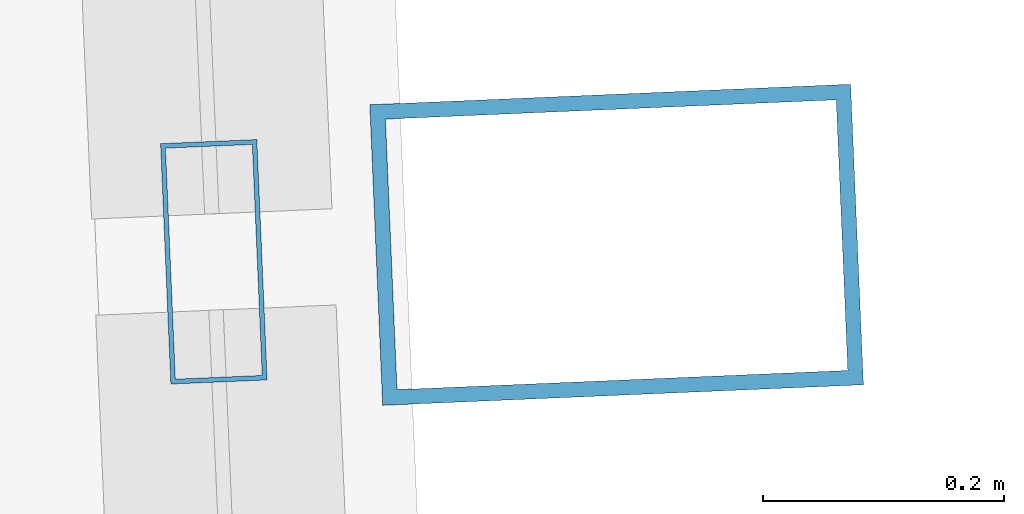
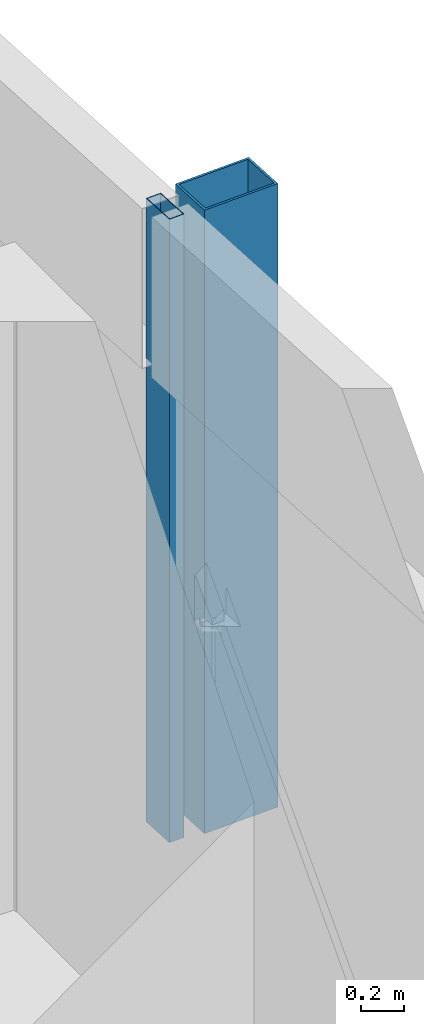
# One storey, part 29 of 44: 2 members, 1 element without a shape of its own.
"""IFC4 building model written with IfcOpenShell, lengths in metres."""

from ifc_helpers import new_model, si_unit, direction, frame, origin, origin_2d, place, context, subcontext, project, spatial, hollow_rectangle, extrude, material, material_profile, profile_set, type_object, element, aggregate, save


model = new_model("IFC4")

# Units and contexts
model_context = context("Model", 3, precision=1e-05, world=origin(), true_north=direction((0.0, 1.0)))
body_context = subcontext(model_context, "Body", "Model", "MODEL_VIEW")
ifc_project = project(units=[si_unit("LENGTHUNIT", "METRE"), si_unit("AREAUNIT", "SQUARE_METRE"), si_unit("VOLUMEUNIT", "CUBIC_METRE"), si_unit("PLANEANGLEUNIT", "RADIAN"), si_unit("MASSUNIT", "GRAM", prefix="KILO")], contexts=[model_context])

# Site, building, storey
site_placement = place(None, origin())
site = spatial("IfcSite", under=ifc_project, at=site_placement, CompositionType="ELEMENT")
building_placement = place(site_placement, origin())
building = spatial("IfcBuilding", under=site, at=building_placement, Name="Rekha Terrace Tower", CompositionType="ELEMENT")
storey_placement = place(building_placement, frame((0.0, 0.0, 51.64990234375)))
storey = spatial("IfcBuildingStorey", under=building, at=storey_placement, Name="L12", CompositionType="ELEMENT", Elevation=51.64990234375)

# Curtain wall, members
ifc_material_1 = material(Name="Aluminium framing", Category="aluminium")
curtain_wall_type = type_object("IfcCurtainWallType", Name="CW2 double skin outer glazing", PredefinedType="USERDEFINED", material=ifc_material_1)
curtain_wall_placement = place(storey_placement, origin())
curtain_wall = element("IfcCurtainWall", 1, at=curtain_wall_placement, inside=storey, type_object=curtain_wall_type, Name="CW2 double skin outer glazing", ObjectType="DOUBLE SKIN OUTER GLAZING", PredefinedType="USERDEFINED")
ifc_material_2 = material(Name="Steel S355 with fluorocarbon finish", Category="steel")
ifc_material_profile_1 = material_profile(ifc_material_2, hollow_rectangle(XDim=0.25, YDim=0.39990234375, WallThickness=0.012451171875, at=origin_2d()), Name="RHS400x250x12.5")
ifc_profile_set_1 = profile_set([ifc_material_profile_1], Name="Steel S355 with fluorocarbon finish")
member_type_1 = type_object("IfcMemberType", Name="BL1 facade blade RHS 400 x 250", PredefinedType="USERDEFINED", material=ifc_profile_set_1)
member_1_placement = place(storey_placement, frame((69.554443359375, 51.724609375, 0.0), z_axis=(0.0, 0.0, 1.0), x_axis=(-0.04269522475, 0.99908814315, 0.0)))
member_1 = element("IfcMember", 2, at=member_1_placement, type_object=member_type_1, Name="Facade blade", ObjectType="FACADE BLADE", PredefinedType="USERDEFINED", context=body_context, shape_type="SweptSolid", body=[
    extrude(hollow_rectangle(XDim=0.25, YDim=0.39990234375, WallThickness=0.012451171875, at=origin_2d()), origin(), (0.0, 0.0, 1.0), 3.5),
])
ifc_material_3 = material(Name="Aluminium mullion section", Category="aluminium")
ifc_material_profile_2 = material_profile(ifc_material_3, hollow_rectangle(XDim=0.080078125, YDim=0.199951171875, WallThickness=0.00390625, at=origin_2d()), Name="AL RHS 80x200")
ifc_profile_set_2 = profile_set([ifc_material_profile_2], Name="Aluminium mullion section")
member_type_2 = type_object("IfcMemberType", Name="CW2 mullion RHS 80 x 200", PredefinedType="MULLION", material=ifc_profile_set_2)
member_2_placement = place(storey_placement, frame((69.2197265625, 51.71044921875, 0.0), z_axis=(0.0, 0.0, 1.0), x_axis=(-0.999088106903, -0.042696072956, 0.0)))
member_2 = element("IfcMember", 3, at=member_2_placement, type_object=member_type_2, Name="CW2 mullion 4", PredefinedType="MULLION", context=body_context, shape_type="SweptSolid", body=[
    extrude(hollow_rectangle(XDim=0.080078125, YDim=0.199951171875, WallThickness=0.00390625, at=origin_2d()), origin(), (0.0, 0.0, 1.0), 3.5),
])
aggregate(curtain_wall, [member_2, member_1])

save(model, "model.ifc")
